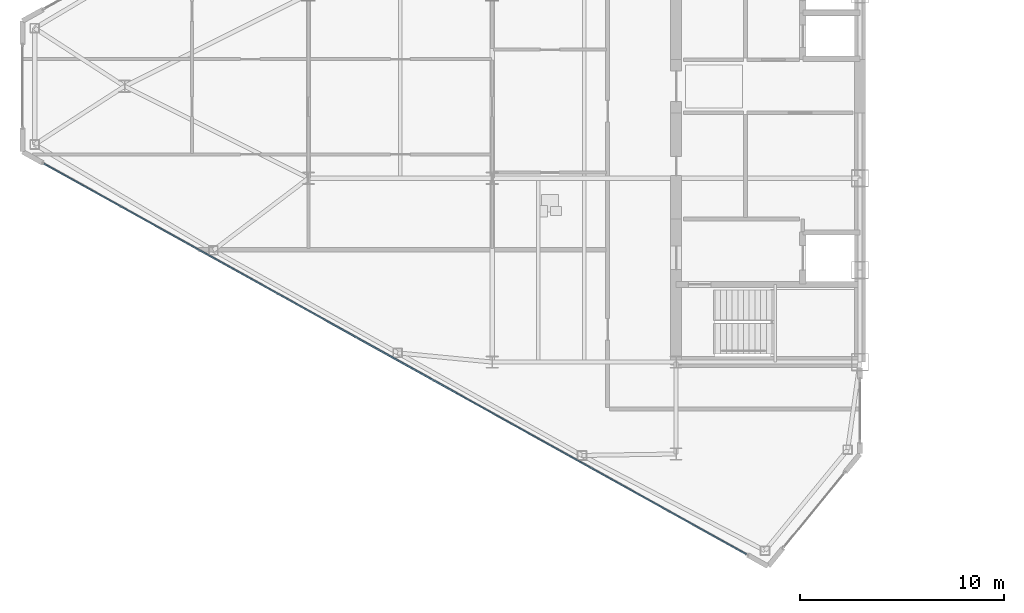
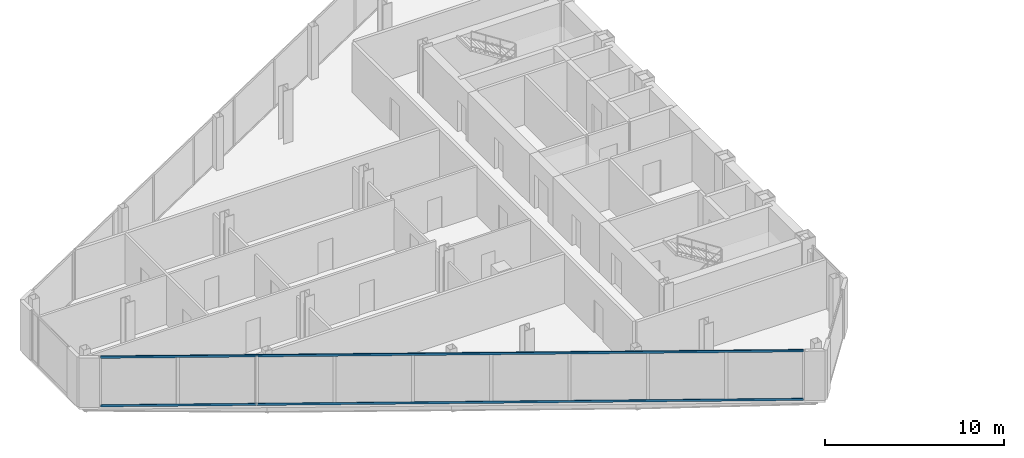
# One storey, part 4 of 26: 2 members, 1 element without a shape of its own.
"""IFC4 building model written with IfcOpenShell, lengths in metres."""

from ifc_helpers import new_model, si_unit, direction, frame, origin, origin_2d, place, context, subcontext, project, spatial, rectangle, extrude, source, transform, mapped, material, layer, layer_set, material_profile, profile_set, type_object, type_shapes, element, aggregate, save


model = new_model("IFC4")

# Units and contexts
model_context = context("Model", 3, precision=1e-05, world=origin(), true_north=direction((0.0, 1.0)))
body_context = subcontext(model_context, "Body", "Model", "MODEL_VIEW")
ifc_project = project(units=[si_unit("LENGTHUNIT", "METRE"), si_unit("AREAUNIT", "SQUARE_METRE"), si_unit("VOLUMEUNIT", "CUBIC_METRE"), si_unit("PLANEANGLEUNIT", "RADIAN"), si_unit("MASSUNIT", "GRAM", prefix="KILO")], contexts=[model_context])

# Site, building, storey
site_placement = place(None, origin())
site = spatial("IfcSite", under=ifc_project, at=site_placement, CompositionType="ELEMENT")
building_placement = place(site_placement, origin())
building = spatial("IfcBuilding", under=site, at=building_placement, Name="Seokmaru Belvedere", CompositionType="ELEMENT")
storey_placement = place(building_placement, frame((0.0, 0.0, 170.699951171875)))
storey = spatial("IfcBuildingStorey", under=building, at=storey_placement, Name="L45", CompositionType="ELEMENT", Elevation=170.699951171875)

# Curtain wall, members
ifc_material_1 = material(Name="Bronze Triple Insulating Glass", Category="glass")
ifc_layer = layer(ifc_material_1, 0.179931640625)
ifc_layer_set = layer_set([ifc_layer], Name="Bronze Triple Insulating Glass")
curtain_wall_type = type_object("IfcCurtainWallType", Name="High-Rise Wind-Corner Curtain Wall System CW-5", PredefinedType="NOTDEFINED", material=ifc_layer_set)
curtain_wall_placement = place(storey_placement, origin())
curtain_wall = element("IfcCurtainWall", 1, at=curtain_wall_placement, inside=storey, type_object=curtain_wall_type, Name="L45 Curtain Wall WF5", PredefinedType="NOTDEFINED")
ifc_material_2 = material(Name="Anodised Bronze Aluminium", Category="aluminium")
ifc_material_profile = material_profile(ifc_material_2, rectangle(XDim=0.06494140625, YDim=0.14990234375, at=origin_2d()), Name="CW-T-65x150")
ifc_profile_set = profile_set([ifc_material_profile], Name="Anodised Bronze Aluminium")
member_type = type_object("IfcMemberType", Name="Bronze Unitised Transom 65x150", PredefinedType="USERDEFINED", material=ifc_profile_set)
shared_shape = source(origin(), body_context, "Body", "SweptSolid", [
    extrude(rectangle(XDim=0.06494140625, YDim=0.14990234375, at=origin_2d()), origin(), (0.0, 0.0, 1.0), 39.33544921875),
])
type_shapes(member_type, [shared_shape])
member_1_placement = place(storey_placement, frame((-67.438232421875, -3.79052734375, 0.032470703125), z_axis=(0.873932045133, -0.486048125693, 0.0), x_axis=(0.486048125693, 0.873932045133, 0.0)))
member_1 = element("IfcMember", 2, at=member_1_placement, type_object=member_type, Name="CW:L45:WF5 Continuous Transom 1", ObjectType="TRANSOM", PredefinedType="USERDEFINED", context=body_context, shape_type="MappedRepresentation", body=[
    mapped(shared_shape, transform((0.0, 0.0, 0.0), scale=1.0)),
])
member_2_placement = place(storey_placement, frame((-67.438232421875, -3.79052734375, 3.34765625), z_axis=(0.873932045133, -0.486048125693, 0.0), x_axis=(0.486048125693, 0.873932045133, 0.0)))
member_2 = element("IfcMember", 3, at=member_2_placement, type_object=member_type, Name="CW:L45:WF5 Continuous Transom 2", ObjectType="TRANSOM", PredefinedType="USERDEFINED", context=body_context, shape_type="MappedRepresentation", body=[
    mapped(shared_shape, transform((0.0, 0.0, 0.0), scale=1.0)),
])
aggregate(curtain_wall, [member_1, member_2])

save(model, "model.ifc")
